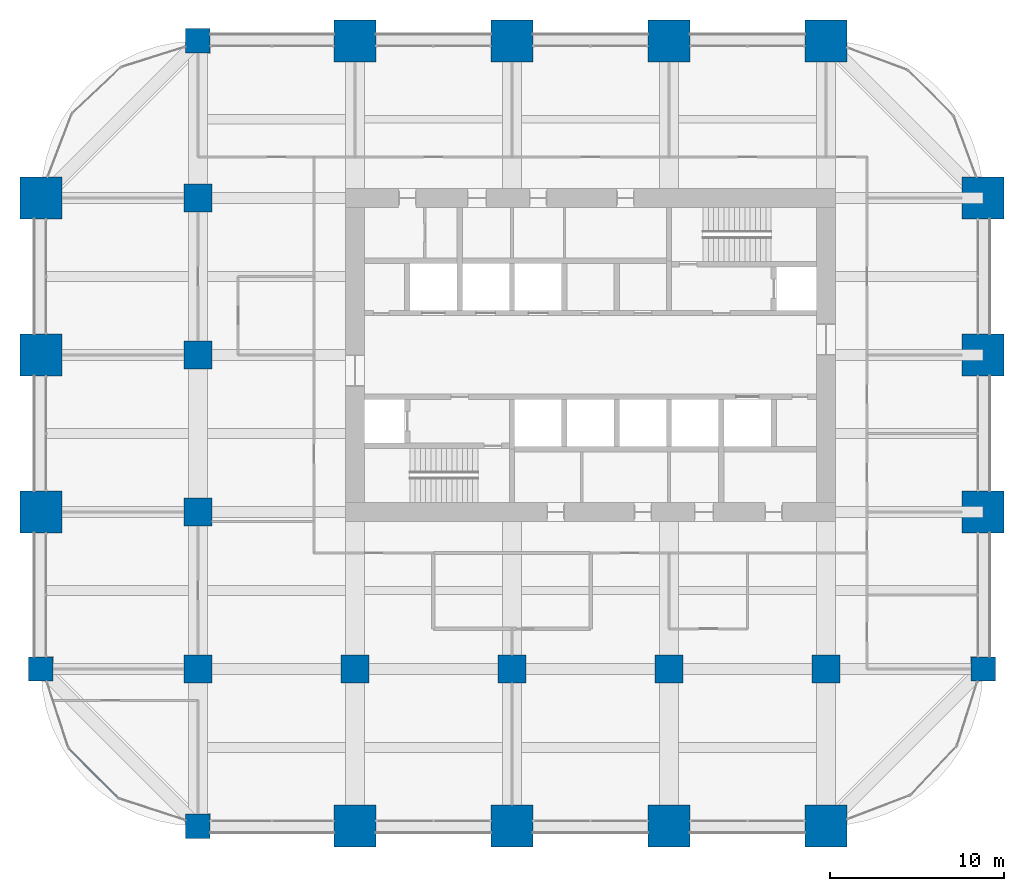
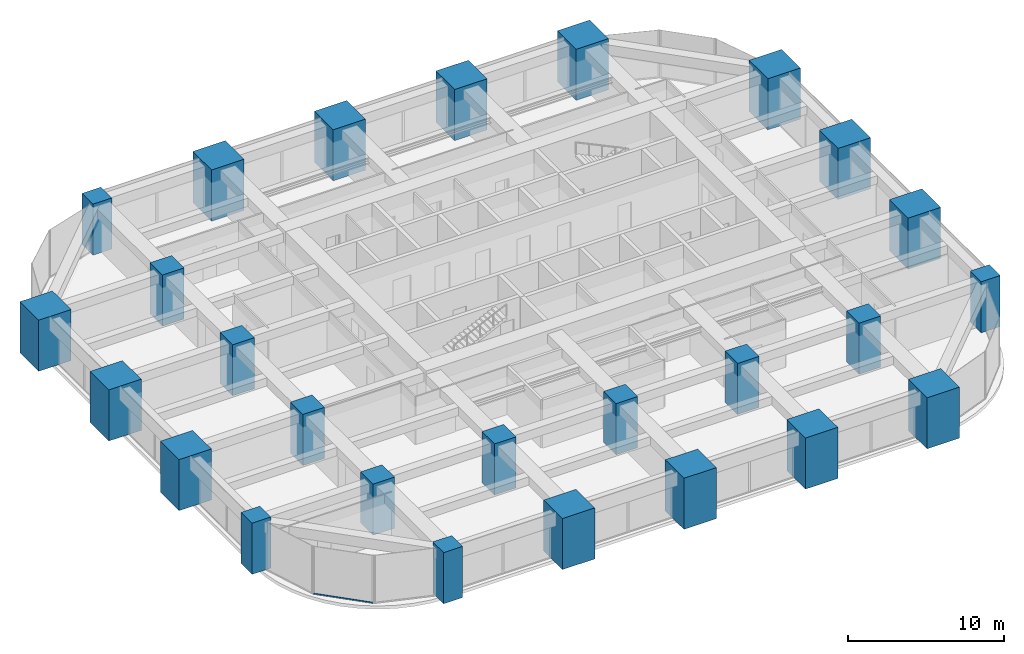
# One storey, part 1 of 32: 26 columns, 1 member, 1 element without a shape of its own.
"""IFC4 building model written with IfcOpenShell, lengths in metres."""

from ifc_helpers import new_model, si_unit, direction, frame, origin, origin_2d, place, context, subcontext, project, spatial, rectangle, hollow_rectangle, extrude, material, material_profile, profile_set, type_object, element, aggregate, save


model = new_model("IFC4")

# Units and contexts
model_context = context("Model", 3, precision=1e-05, world=origin(), true_north=direction((0.0, 1.0)))
body_context = subcontext(model_context, "Body", "Model", "MODEL_VIEW")
ifc_project = project(units=[si_unit("LENGTHUNIT", "METRE"), si_unit("AREAUNIT", "SQUARE_METRE"), si_unit("VOLUMEUNIT", "CUBIC_METRE"), si_unit("PLANEANGLEUNIT", "RADIAN"), si_unit("MASSUNIT", "GRAM", prefix="KILO")], contexts=[model_context])

# Site, building, storey
site_placement = place(None, origin())
site = spatial("IfcSite", under=ifc_project, at=site_placement, CompositionType="ELEMENT")
building_placement = place(site_placement, origin())
building = spatial("IfcBuilding", under=site, at=building_placement, Name="Zorevar Civic Tower", CompositionType="ELEMENT")
storey_placement = place(building_placement, frame((0.0, 0.0, 186.199951171875)))
storey = spatial("IfcBuildingStorey", under=building, at=storey_placement, Name="L45", CompositionType="ELEMENT", Elevation=186.199951171875)

# Columns
ifc_material_1 = material(Name="Concrete C50/60", Category="concrete")
ifc_material_profile_1 = material_profile(ifc_material_1, rectangle(XDim=1.39990234375, YDim=1.39990234375, at=origin_2d()), Name="RC 1400x1400")
ifc_profile_set_1 = profile_set([ifc_material_profile_1], Name="Concrete C50/60")
column_type_1 = type_object("IfcColumnType", Name="Column RC 1400x1400", PredefinedType="COLUMN", material=ifc_profile_set_1)
for number, where, z_axis, x_axis, name in (
    (1, (0.0, 9.0, 0.0), (0.0, 0.0, 1.0), (1.0, 0.0, 0.0), "Column 2B L45"),
    (2, (9.0, 0.0, 0.0), (0.0, 0.0, 1.0), (1.0, 0.0, 0.0), "Column 3A L45"),
    (3, (9.0, 45.0, 0.0), (0.0, 0.0, 1.0), (1.0, 0.0, 0.0), "Column 3F L45"),
    (4, (54.0, 9.0, 0.0), (0.0, 0.0, 1.0), (1.0, 0.0, 0.0), "Column 8B L45"),
):
    element("IfcColumn", number, at=place(storey_placement, frame(where, z_axis=z_axis, x_axis=x_axis)), inside=storey, type_object=column_type_1, Name=name, PredefinedType="COLUMN", context=body_context, shape_type="SweptSolid", body=[
        extrude(rectangle(XDim=1.39990234375, YDim=1.39990234375, at=origin_2d()), origin(), (0.0, 0.0, 1.0), 4.0),
    ])
ifc_material_2 = material(Name="Concrete C50/60", Category="concrete")
ifc_material_profile_2 = material_profile(ifc_material_2, rectangle(XDim=1.60009765625, YDim=1.60009765625, at=origin_2d()), Name="RC 1600x1600")
ifc_profile_set_2 = profile_set([ifc_material_profile_2], Name="Concrete C50/60")
column_type_2 = type_object("IfcColumnType", Name="Column RC 1600x1600", PredefinedType="COLUMN", material=ifc_profile_set_2)
for number, where, z_axis, x_axis, name in (
    (5, (9.0, 9.0, 0.0), (0.0, 0.0, 1.0), (1.0, 0.0, 0.0), "Column 3B L45"),
    (6, (9.0, 18.0, 0.0), (0.0, 0.0, 1.0), (1.0, 0.0, 0.0), "Column 3C L45"),
    (7, (9.0, 27.0, 0.0), (0.0, 0.0, 1.0), (1.0, 0.0, 0.0), "Column 3D L45"),
    (8, (9.0, 36.0, 0.0), (0.0, 0.0, 1.0), (1.0, 0.0, 0.0), "Column 3E L45"),
    (9, (18.0, 9.0, 0.0), (0.0, 0.0, 1.0), (1.0, 0.0, 0.0), "Column 4B L45"),
    (10, (27.0, 9.0, 0.0), (0.0, 0.0, 1.0), (1.0, 0.0, 0.0), "Column 5B L45"),
    (11, (36.0, 9.0, 0.0), (0.0, 0.0, 1.0), (1.0, 0.0, 0.0), "Column 6B L45"),
    (12, (45.0, 9.0, 0.0), (0.0, 0.0, 1.0), (1.0, 0.0, 0.0), "Column 7B L45"),
):
    element("IfcColumn", number, at=place(storey_placement, frame(where, z_axis=z_axis, x_axis=x_axis)), inside=storey, type_object=column_type_2, Name=name, PredefinedType="COLUMN", context=body_context, shape_type="SweptSolid", body=[
        extrude(rectangle(XDim=1.60009765625, YDim=1.60009765625, at=origin_2d()), origin(), (0.0, 0.0, 1.0), 4.0),
    ])
ifc_material_3 = material(Name="Concrete C50/60", Category="concrete")
ifc_material_profile_3 = material_profile(ifc_material_3, rectangle(XDim=2.39990234375, YDim=2.39990234375, at=origin_2d()), Name="RC 2400x2400")
ifc_profile_set_3 = profile_set([ifc_material_profile_3], Name="Concrete C50/60")
column_type_3 = type_object("IfcColumnType", Name="Mega column RC 2400x2400", PredefinedType="COLUMN", material=ifc_profile_set_3)
for number, where, z_axis, x_axis, name in (
    (13, (0.0, 18.0, 0.0), (0.0, 0.0, 1.0), (1.0, 0.0, 0.0), "Column 2C L45"),
    (14, (0.0, 27.0, 0.0), (0.0, 0.0, 1.0), (1.0, 0.0, 0.0), "Column 2D L45"),
    (15, (0.0, 36.0, 0.0), (0.0, 0.0, 1.0), (1.0, 0.0, 0.0), "Column 2E L45"),
    (16, (18.0, 0.0, 0.0), (0.0, 0.0, 1.0), (1.0, 0.0, 0.0), "Column 4A L45"),
    (17, (18.0, 45.0, 0.0), (0.0, 0.0, 1.0), (1.0, 0.0, 0.0), "Column 4F L45"),
    (18, (27.0, 0.0, 0.0), (0.0, 0.0, 1.0), (1.0, 0.0, 0.0), "Column 5A L45"),
    (19, (27.0, 45.0, 0.0), (0.0, 0.0, 1.0), (1.0, 0.0, 0.0), "Column 5F L45"),
    (20, (36.0, 0.0, 0.0), (0.0, 0.0, 1.0), (1.0, 0.0, 0.0), "Column 6A L45"),
    (21, (36.0, 45.0, 0.0), (0.0, 0.0, 1.0), (1.0, 0.0, 0.0), "Column 6F L45"),
    (22, (45.0, 0.0, 0.0), (0.0, 0.0, 1.0), (1.0, 0.0, 0.0), "Column 7A L45"),
    (23, (45.0, 45.0, 0.0), (0.0, 0.0, 1.0), (1.0, 0.0, 0.0), "Column 7F L45"),
    (24, (54.0, 18.0, 0.0), (0.0, 0.0, 1.0), (1.0, 0.0, 0.0), "Column 8C L45"),
    (25, (54.0, 27.0, 0.0), (0.0, 0.0, 1.0), (1.0, 0.0, 0.0), "Column 8D L45"),
    (26, (54.0, 36.0, 0.0), (0.0, 0.0, 1.0), (1.0, 0.0, 0.0), "Column 8E L45"),
):
    element("IfcColumn", number, at=place(storey_placement, frame(where, z_axis=z_axis, x_axis=x_axis)), inside=storey, type_object=column_type_3, Name=name, PredefinedType="COLUMN", context=body_context, shape_type="SweptSolid", body=[
        extrude(rectangle(XDim=2.39990234375, YDim=2.39990234375, at=origin_2d()), origin(), (0.0, 0.0, 1.0), 4.0),
    ])

# Curtain wall, member
ifc_material_4 = material(Name="Dark grey solar-control glass in black aluminium frame", Category="aluminium")
curtain_wall_type = type_object("IfcCurtainWallType", Name="Curtain wall CW4 high zone", PredefinedType="NOTDEFINED", material=ifc_material_4)
curtain_wall_placement = place(storey_placement, origin())
curtain_wall = element("IfcCurtainWall", 27, at=curtain_wall_placement, inside=storey, type_object=curtain_wall_type, Name="CW4 L45", PredefinedType="NOTDEFINED")
ifc_material_5 = material(Name="Aluminium, black anodised", Category="aluminium")
ifc_material_profile_4 = material_profile(ifc_material_5, hollow_rectangle(XDim=0.06005859375, YDim=0.1201171875, WallThickness=0.0029296875, at=origin_2d()), Name="AL 120x60x3")
ifc_profile_set_4 = profile_set([ifc_material_profile_4], Name="Aluminium, black anodised")
member_type = type_object("IfcMemberType", Name="CW4 transom AL 120x60x3", PredefinedType="USERDEFINED", material=ifc_profile_set_4)
member_placement = place(storey_placement, frame((1.62744140625, 4.406982421875, 0.030029296875), z_axis=(0.707106781187, -0.707106781187, 0.0), x_axis=(0.707106781187, 0.707106781187, 0.0)))
member = element("IfcMember", 28, at=member_placement, type_object=member_type, Name="CW4 sill transom", ObjectType="TRANSOM", PredefinedType="USERDEFINED", context=body_context, shape_type="SweptSolid", body=[
    extrude(hollow_rectangle(XDim=0.06005859375, YDim=0.1201171875, WallThickness=0.0029296875, at=origin_2d()), origin(), (0.0, 0.0, 1.0), 3.930908203125),
])
aggregate(curtain_wall, [member])

save(model, "model.ifc")
